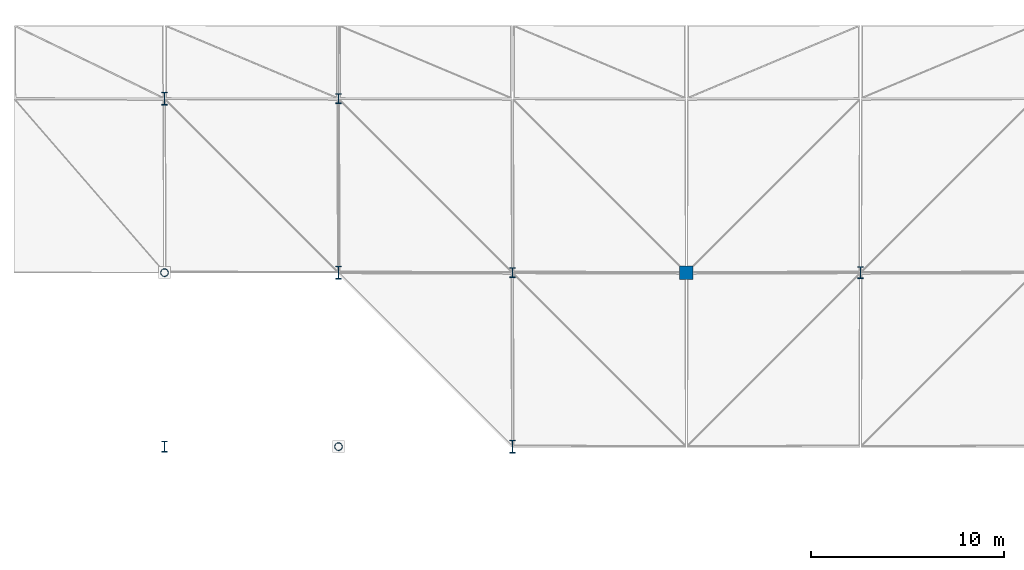
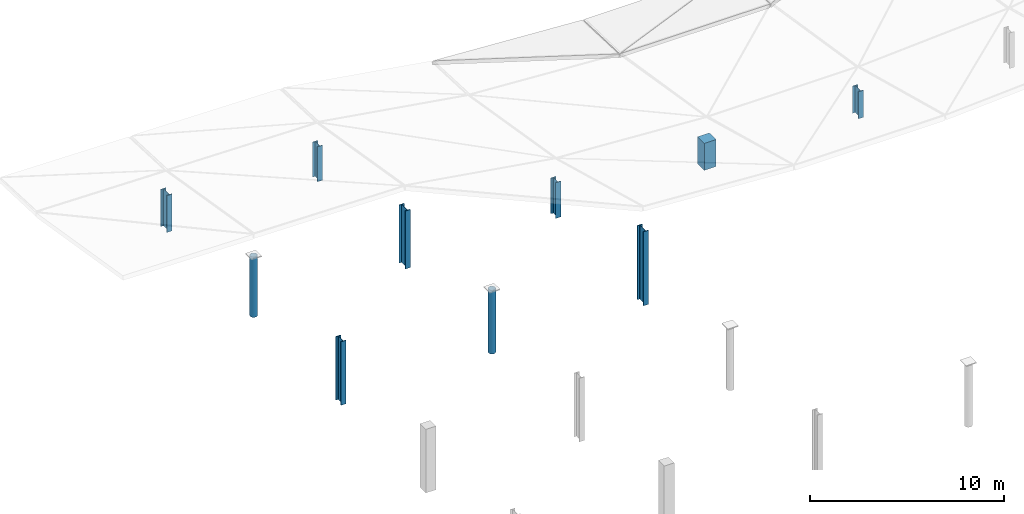
# One storey, part 3 of 102: 10 columns.
"""IFC4 building model written with IfcOpenShell, lengths in metres."""

from ifc_helpers import new_model, si_unit, direction, frame, origin, origin_2d, place, context, subcontext, project, spatial, rectangle, hollow_circle, i_section, extrude, material, material_profile, profile_set, type_object, element, save


model = new_model("IFC4")

# Units and contexts
model_context = context("Model", 3, precision=1e-05, world=origin(), true_north=direction((0.0, 1.0)))
body_context = subcontext(model_context, "Body", "Model", "MODEL_VIEW")
ifc_project = project(units=[si_unit("LENGTHUNIT", "METRE"), si_unit("AREAUNIT", "SQUARE_METRE"), si_unit("VOLUMEUNIT", "CUBIC_METRE"), si_unit("PLANEANGLEUNIT", "RADIAN"), si_unit("MASSUNIT", "GRAM", prefix="KILO")], contexts=[model_context])

# Site, building, storey
site_placement = place(None, origin())
site = spatial("IfcSite", under=ifc_project, at=site_placement, CompositionType="ELEMENT")
building_placement = place(site_placement, origin())
building = spatial("IfcBuilding", under=site, at=building_placement, Name="Barlavento Convention Centre", CompositionType="ELEMENT")
storey_placement = place(building_placement, frame((0.0, 0.0, 22.800048828125)))
storey = spatial("IfcBuildingStorey", under=building, at=storey_placement, Name="L04", CompositionType="ELEMENT", Elevation=22.800048828125)

# Columns
ifc_material_1 = material(Name="Steel S355", Category="steel")
ifc_material_profile_1 = material_profile(ifc_material_1, hollow_circle(Radius=0.203125, WallThickness=0.01611328125, at=origin_2d()), Name="CHS 406.4x16.0")
ifc_profile_set_1 = profile_set([ifc_material_profile_1], Name="Steel S355")
column_type_1 = type_object("IfcColumnType", Name="STR-COL-CHS406", PredefinedType="COLUMN", material=ifc_profile_set_1)
column_1_placement = place(storey_placement, frame((0.0, 45.0, 0.0), z_axis=(0.0, 0.0, 1.0), x_axis=(1.0, 0.0, 0.0)))
element("IfcColumn", 1, at=column_1_placement, inside=storey, type_object=column_type_1, Name="L04 Congress hall column SC14", PredefinedType="COLUMN", context=body_context, shape_type="SweptSolid", body=[
    extrude(hollow_circle(Radius=0.203125, WallThickness=0.01611328125, at=origin_2d()), origin(), (0.0, 0.0, 1.0), 3.786865234375),
])
column_2_placement = place(storey_placement, frame((9.0, 36.0, 0.0), z_axis=(0.0, 0.0, 1.0), x_axis=(1.0, 0.0, 0.0)))
element("IfcColumn", 2, at=column_2_placement, inside=storey, type_object=column_type_1, Name="L04 Congress hall column SC14", PredefinedType="COLUMN", context=body_context, shape_type="SweptSolid", body=[
    extrude(hollow_circle(Radius=0.203125, WallThickness=0.01611328125, at=origin_2d()), origin(), (0.0, 0.0, 1.0), 4.0),
])
ifc_material_profile_2 = material_profile(ifc_material_1, i_section(OverallWidth=0.305908203125, OverallDepth=0.52392578125, WebThickness=0.02099609375, FlangeThickness=0.0400390625, FilletRadius=0.027099609375, at=origin_2d()), Name="HEM 500")
ifc_profile_set_2 = profile_set([ifc_material_profile_2], Name="Steel S355")
column_type_2 = type_object("IfcColumnType", Name="STR-COL-HEM500", PredefinedType="COLUMN", material=ifc_profile_set_2)
column_3_placement = place(storey_placement, frame((9.0, 54.0, 0.0), z_axis=(0.0, 0.0, 1.0), x_axis=(1.0, 0.0, 0.0)))
element("IfcColumn", 3, at=column_3_placement, inside=storey, type_object=column_type_2, Name="L04 Congress hall column SC07", PredefinedType="COLUMN", context=body_context, shape_type="SweptSolid", body=[
    extrude(i_section(OverallWidth=0.305908203125, OverallDepth=0.52392578125, WebThickness=0.02099609375, FlangeThickness=0.0400390625, FilletRadius=0.027099609375, at=origin_2d()), origin(), (0.0, 0.0, 1.0), 2.1953125),
])
column_4_placement = place(storey_placement, frame((18.0, 45.0, 0.0), z_axis=(0.0, 0.0, 1.0), x_axis=(1.0, 0.0, 0.0)))
element("IfcColumn", 4, at=column_4_placement, inside=storey, type_object=column_type_2, Name="L04 Congress hall column SC07", PredefinedType="COLUMN", context=body_context, shape_type="SweptSolid", body=[
    extrude(i_section(OverallWidth=0.305908203125, OverallDepth=0.52392578125, WebThickness=0.02099609375, FlangeThickness=0.0400390625, FilletRadius=0.027099609375, at=origin_2d()), origin(), (0.0, 0.0, 1.0), 2.24365234375),
])
ifc_material_profile_3 = material_profile(ifc_material_1, i_section(OverallWidth=0.305908203125, OverallDepth=0.572021484375, WebThickness=0.02099609375, FlangeThickness=0.0400390625, FilletRadius=0.027099609375, at=origin_2d()), Name="HEM 550")
ifc_profile_set_3 = profile_set([ifc_material_profile_3], Name="Steel S355")
column_type_3 = type_object("IfcColumnType", Name="STR-COL-HEM550", PredefinedType="COLUMN", material=ifc_profile_set_3)
column_5_placement = place(storey_placement, frame((0.0, 36.0, 0.0), z_axis=(0.0, 0.0, 1.0), x_axis=(1.0, 0.0, 0.0)))
element("IfcColumn", 5, at=column_5_placement, inside=storey, type_object=column_type_3, Name="L04 Congress hall column SC06", PredefinedType="COLUMN", context=body_context, shape_type="SweptSolid", body=[
    extrude(i_section(OverallWidth=0.305908203125, OverallDepth=0.572021484375, WebThickness=0.02099609375, FlangeThickness=0.0400390625, FilletRadius=0.027099609375, at=origin_2d()), origin(), (0.0, 0.0, 1.0), 4.0),
])
ifc_material_profile_4 = material_profile(ifc_material_1, i_section(OverallWidth=0.304931640625, OverallDepth=0.6201171875, WebThickness=0.02099609375, FlangeThickness=0.0400390625, FilletRadius=0.027099609375, at=origin_2d()), Name="HEM 600")
ifc_profile_set_4 = profile_set([ifc_material_profile_4], Name="Steel S355")
column_type_4 = type_object("IfcColumnType", Name="STR-COL-HEM600", PredefinedType="COLUMN", material=ifc_profile_set_4)
column_6_placement = place(storey_placement, frame((36.0, 45.0, 0.0), z_axis=(0.0, 0.0, 1.0), x_axis=(1.0, 0.0, 0.0)))
element("IfcColumn", 6, at=column_6_placement, inside=storey, type_object=column_type_4, Name="L04 Congress hall column SC05", PredefinedType="COLUMN", context=body_context, shape_type="SweptSolid", body=[
    extrude(i_section(OverallWidth=0.304931640625, OverallDepth=0.6201171875, WebThickness=0.02099609375, FlangeThickness=0.0400390625, FilletRadius=0.027099609375, at=origin_2d()), origin(), (0.0, 0.0, 1.0), 1.699951171875),
])
ifc_material_2 = material(Name="Steel S460", Category="steel")
ifc_material_profile_5 = material_profile(ifc_material_2, i_section(OverallWidth=0.304931640625, OverallDepth=0.66796875, WebThickness=0.02099609375, FlangeThickness=0.0400390625, FilletRadius=0.027099609375, at=origin_2d()), Name="HEM 650")
ifc_profile_set_5 = profile_set([ifc_material_profile_5], Name="Steel S460")
column_type_5 = type_object("IfcColumnType", Name="STR-COL-HEM650", PredefinedType="COLUMN", material=ifc_profile_set_5)
column_7_placement = place(storey_placement, frame((0.0, 54.0, 0.0), z_axis=(0.0, 0.0, 1.0), x_axis=(1.0, 0.0, 0.0)))
element("IfcColumn", 7, at=column_7_placement, inside=storey, type_object=column_type_5, Name="L04 Congress hall column SC04", PredefinedType="COLUMN", context=body_context, shape_type="SweptSolid", body=[
    extrude(i_section(OverallWidth=0.304931640625, OverallDepth=0.66796875, WebThickness=0.02099609375, FlangeThickness=0.0400390625, FilletRadius=0.027099609375, at=origin_2d()), origin(), (0.0, 0.0, 1.0), 2.325927734375),
])
column_8_placement = place(storey_placement, frame((9.0, 45.0, 0.0), z_axis=(0.0, 0.0, 1.0), x_axis=(1.0, 0.0, 0.0)))
element("IfcColumn", 8, at=column_8_placement, inside=storey, type_object=column_type_5, Name="L04 Congress hall column SC04", PredefinedType="COLUMN", context=body_context, shape_type="SweptSolid", body=[
    extrude(i_section(OverallWidth=0.304931640625, OverallDepth=0.66796875, WebThickness=0.02099609375, FlangeThickness=0.0400390625, FilletRadius=0.027099609375, at=origin_2d()), origin(), (0.0, 0.0, 1.0), 3.65625),
])
column_9_placement = place(storey_placement, frame((18.0, 36.0, 0.0), z_axis=(0.0, 0.0, 1.0), x_axis=(1.0, 0.0, 0.0)))
element("IfcColumn", 9, at=column_9_placement, inside=storey, type_object=column_type_5, Name="L04 Congress hall column SC04", PredefinedType="COLUMN", context=body_context, shape_type="SweptSolid", body=[
    extrude(i_section(OverallWidth=0.304931640625, OverallDepth=0.66796875, WebThickness=0.02099609375, FlangeThickness=0.0400390625, FilletRadius=0.027099609375, at=origin_2d()), origin(), (0.0, 0.0, 1.0), 4.657958984375),
])
ifc_material_3 = material(Name="Concrete C40/50", Category="concrete")
ifc_material_profile_6 = material_profile(ifc_material_3, rectangle(XDim=0.699951171875, YDim=0.699951171875, at=origin_2d()), Name="RC 700x700")
ifc_profile_set_6 = profile_set([ifc_material_profile_6], Name="Concrete C40/50")
column_type_6 = type_object("IfcColumnType", Name="STR-COL-RC700", PredefinedType="COLUMN", material=ifc_profile_set_6)
column_10_placement = place(storey_placement, frame((27.0, 45.0, 0.0), z_axis=(0.0, 0.0, 1.0), x_axis=(1.0, 0.0, 0.0)))
element("IfcColumn", 10, at=column_10_placement, inside=storey, type_object=column_type_6, Name="L04 Congress hall column CC06", PredefinedType="COLUMN", context=body_context, shape_type="SweptSolid", body=[
    extrude(rectangle(XDim=0.699951171875, YDim=0.699951171875, at=origin_2d()), origin(), (0.0, 0.0, 1.0), 1.699951171875),
])

save(model, "model.ifc")
